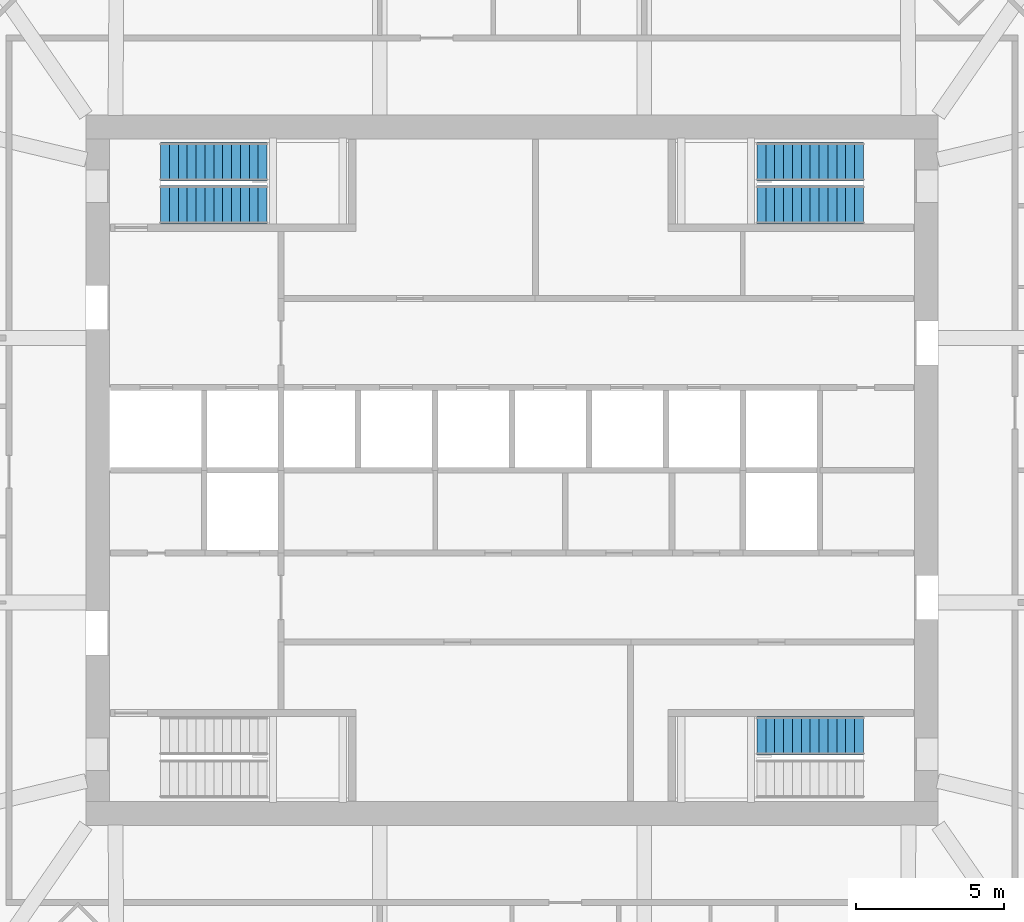
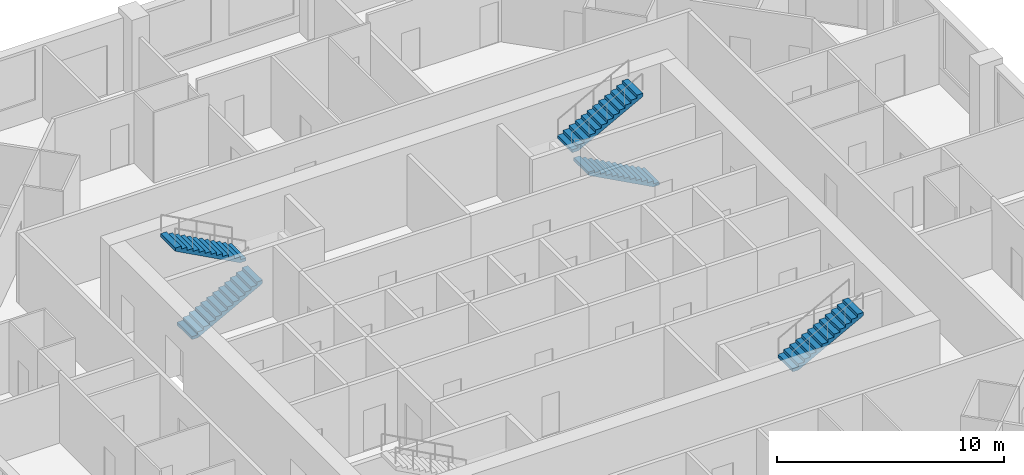
# One storey, part 11 of 13: 5 stair flights, 3 elements without a shape of their own.
"""IFC4 building model written with IfcOpenShell, lengths in metres."""

import ifcopenshell
import ifcopenshell.guid

model = None  # the IFC model being written
_history = None  # IfcOwnerHistory: only IFC2X3 demands one
_inside = {}  # id of a spatial element -> (the spatial element, [elements in it])
_under = {}  # id of a project, library or spatial element -> (it, [spatial elements below it])
_declared = {}  # id of a project -> (the project, [libraries it declares])
_typed = {}  # id of a type object -> (the type object, [elements of that type])
_made_of = {}  # id of a material, layer set ... -> (it, [elements and type objects made of it])


def new_model(schema):
    """Start an empty IFC model of exactly this schema.

    Asked for "IFC4X3", IfcOpenShell would pick the latest addendum, in which some entities
    have other attributes; the version numbers below select the first issue.
    IFC2X3 requires an IfcOwnerHistory on every rooted entity: one is made here for all.
    """
    global model, _history
    if schema == "IFC4X3":
        model = ifcopenshell.file(schema_version=(4, 3, 0, 0))
    else:
        model = ifcopenshell.file(schema=schema)
    _inside.clear()
    _under.clear()
    _declared.clear()
    _typed.clear()
    _made_of.clear()
    _history = None
    if model.schema == "IFC2X3":
        org = make("IfcOrganization", Name="unknown")
        user = make(
            "IfcPersonAndOrganization",
            ThePerson=make("IfcPerson", FamilyName="unknown"),
            TheOrganization=org,
        )
        app = make(
            "IfcApplication",
            ApplicationDeveloper=org,
            Version="unknown",
            ApplicationFullName="unknown",
            ApplicationIdentifier="unknown",
        )
        _history = make(
            "IfcOwnerHistory",
            OwningUser=user,
            OwningApplication=app,
            ChangeAction="ADDED",
            CreationDate=0,
        )
    return model


def make(cls, **values):
    """One entity of the class cls with the attributes given. An attribute that is None is left unset."""
    return model.create_entity(
        cls, **{name: value for name, value in values.items() if value is not None}
    )


def rooted(cls, **values):
    """An entity with a GlobalId (a new one), such as an element, a storey or a relation."""
    return make(cls, GlobalId=ifcopenshell.guid.new(), OwnerHistory=_history, **values)


def si_unit(unit_type, name, prefix=None):
    """IfcSIUnit, for example si_unit("LENGTHUNIT", "METRE", prefix="MILLI")."""
    return make("IfcSIUnit", UnitType=unit_type, Prefix=prefix, Name=name)


def assignment(units):
    """IfcUnitAssignment: the units of a project."""
    return None if units is None else make("IfcUnitAssignment", Units=units)


def point(xyz):
    """IfcCartesianPoint."""
    return None if xyz is None else make("IfcCartesianPoint", Coordinates=xyz)


def direction(xyz):
    """IfcDirection."""
    return None if xyz is None else make("IfcDirection", DirectionRatios=xyz)


def frame(location, z_axis=None, x_axis=None):
    """IfcAxis2Placement3D, a coordinate frame: its origin and axes. An axis left out is left unset."""
    return make(
        "IfcAxis2Placement3D",
        Location=point(location),
        Axis=direction(z_axis),
        RefDirection=direction(x_axis),
    )


def origin():
    """The frame at (0, 0, 0) with its axes left unset."""
    return frame((0.0, 0.0, 0.0))


def place(relative_to, where):
    """IfcLocalPlacement: puts the frame where relative to a parent placement (None: the world)."""
    return make(
        "IfcLocalPlacement", PlacementRelTo=relative_to, RelativePlacement=where
    )


def context(
    kind, dimensions, precision=None, world=None, true_north=None, identifier=None
):
    """IfcGeometricRepresentationContext, for example the 3D "Model" context."""
    return make(
        "IfcGeometricRepresentationContext",
        ContextIdentifier=identifier,
        ContextType=kind,
        CoordinateSpaceDimension=dimensions,
        Precision=precision,
        WorldCoordinateSystem=world,
        TrueNorth=true_north,
    )


def subcontext(parent, identifier, kind, view, scale=None):
    """IfcGeometricRepresentationSubContext, for example "Body" below "Model"."""
    return make(
        "IfcGeometricRepresentationSubContext",
        ContextIdentifier=identifier,
        ContextType=kind,
        ParentContext=parent,
        TargetScale=scale,
        TargetView=view,
    )


def project(units=None, contexts=None):
    """IfcProject with its units and contexts."""
    return rooted(
        "IfcProject",
        Name="project",
        RepresentationContexts=contexts,
        UnitsInContext=assignment(units),
    )


def spatial(cls, under=None, at=None, **own):
    """A site, building, storey or space (cls), placed at a placement, below another one or the project."""
    s = rooted(cls, ObjectPlacement=at, **own)
    if under is not None:
        _under.setdefault(under.id(), (under, []))[1].append(s)
    return s


def polyline(points):
    """IfcPolyline through the points."""
    return make("IfcPolyline", Points=[point(p) for p in points])


def outline(outer, holes=None, kind="AREA"):
    """IfcArbitraryClosedProfileDef: a profile drawn as a closed curve; with holes, ...WithVoids."""
    if holes is None:
        return make("IfcArbitraryClosedProfileDef", ProfileType=kind, OuterCurve=outer)
    return make(
        "IfcArbitraryProfileDefWithVoids",
        ProfileType=kind,
        OuterCurve=outer,
        InnerCurves=holes,
    )


def extrude(swept, where, along, depth):
    """IfcExtrudedAreaSolid: the profile swept, set in the frame where, extruded along a direction by depth."""
    return make(
        "IfcExtrudedAreaSolid",
        SweptArea=swept,
        Position=where,
        ExtrudedDirection=direction(along),
        Depth=depth,
    )


def shape(context_of_items, identifier, shape_type, items):
    """IfcShapeRepresentation: the items that make up one representation, for example the "Body"."""
    return make(
        "IfcShapeRepresentation",
        ContextOfItems=context_of_items,
        RepresentationIdentifier=identifier,
        RepresentationType=shape_type,
        Items=items,
    )


def material(Name=None, Category=None):
    """IfcMaterial."""
    return make("IfcMaterial", Name=Name, Category=Category)


def made_of(thing, what):
    """Note that an element or type object is made of a material, layer set ...; save() writes the relation."""
    if what is not None:
        _made_of.setdefault(what.id(), (what, []))[1].append(thing)
    return thing


def type_object(cls, material=None, **own):
    """A type object (cls), such as IfcWallType, which elements share."""
    return made_of(rooted(cls, **own), material)


def element(
    cls,
    number,
    at=None,
    inside=None,
    cuts=None,
    type_object=None,
    material=None,
    context=None,
    identifier="Body",
    shape_type=None,
    held_by="IfcProductDefinitionShape",
    body=None,
    shapes=None,
    **own,
):
    """One element of the class cls, such as IfcWall. Its Tag is "e" and its number.

    at: its placement. inside: the storey or other place that contains it. cuts: it is an
    opening in that element (IfcRelVoidsElement). A single representation is given by context,
    identifier, shape_type and body (its items); several are given by shapes. held_by: the class
    of the entity that holds the representations. save() writes the other relations.
    """
    e = rooted(cls, Tag="e%d" % number, ObjectPlacement=at, **own)
    if body is not None:
        shapes = [shape(context, identifier, shape_type, body)]
    if shapes is not None:
        e.Representation = make(held_by, Representations=shapes)
    if inside is not None:
        _inside.setdefault(inside.id(), (inside, []))[1].append(e)
    if cuts is not None:
        rooted(
            "IfcRelVoidsElement", RelatingBuildingElement=cuts, RelatedOpeningElement=e
        )
    if type_object is not None:
        _typed.setdefault(type_object.id(), (type_object, []))[1].append(e)
    return made_of(e, material)


def aggregate(whole, parts):
    """IfcRelAggregates: a whole, such as a stair, and the parts it consists of."""
    return rooted("IfcRelAggregates", RelatingObject=whole, RelatedObjects=parts)


def save(model, path):
    """Write the relations noted so far, then the file.

    IfcRelAggregates (storeys below a building ...), IfcRelContainedInSpatialStructure (elements
    in a storey), IfcRelDefinesByType, IfcRelAssociatesMaterial and IfcRelDeclares: one each for
    every whole, place, type object, material and project.
    """
    for whole, parts in _under.values():
        aggregate(whole, parts)
    for where, things in _inside.values():
        rooted(
            "IfcRelContainedInSpatialStructure",
            RelatedElements=things,
            RelatingStructure=where,
        )
    for kind, things in _typed.values():
        rooted("IfcRelDefinesByType", RelatedObjects=things, RelatingType=kind)
    for what, things in _made_of.values():
        rooted("IfcRelAssociatesMaterial", RelatedObjects=things, RelatingMaterial=what)
    for by, libraries in _declared.values():
        rooted("IfcRelDeclares", RelatingContext=by, RelatedDefinitions=libraries)
    model.write(path)


model = new_model("IFC4")

# Units and contexts
model_context = context("Model", 3, precision=1e-05, world=origin(), true_north=direction((0.0, 1.0)))
body_context = subcontext(model_context, "Body", "Model", "MODEL_VIEW")
ifc_project = project(units=[si_unit("LENGTHUNIT", "METRE"), si_unit("AREAUNIT", "SQUARE_METRE"), si_unit("VOLUMEUNIT", "CUBIC_METRE"), si_unit("PLANEANGLEUNIT", "RADIAN"), si_unit("MASSUNIT", "GRAM", prefix="KILO")], contexts=[model_context])

# Site, building, storey
site_placement = place(None, origin())
site = spatial("IfcSite", under=ifc_project, at=site_placement, CompositionType="ELEMENT")
building_placement = place(site_placement, origin())
building = spatial("IfcBuilding", under=site, at=building_placement, Name="Msitu Wima Residences", CompositionType="ELEMENT")
storey_placement = place(building_placement, frame((0.0, 0.0, 152.699951171875)))
storey = spatial("IfcBuildingStorey", under=building, at=storey_placement, Name="L35", CompositionType="ELEMENT", Elevation=152.699951171875)

# Stair, stair flights
ifc_material = material(Name="Concrete C40/50", Category="concrete")
stair_type = type_object("IfcStairType", Name="Exit stair ES1615-130", PredefinedType="HALF_TURN_STAIR", material=ifc_material)
stair_1_placement = place(storey_placement, origin())
stair_1 = element("IfcStair", 1, at=stair_1_placement, inside=storey, type_object=stair_type, Name="Exit stair 1", PredefinedType="HALF_TURN_STAIR")
stair_flight_type = type_object("IfcStairFlightType", Name="Exit stair flight ES1615-130", PredefinedType="STRAIGHT", material=ifc_material)
stair_flight_1_placement = place(storey_placement, frame((-11.875, 8.97509765625, 0.0), z_axis=(0.0, 0.0, 1.0), x_axis=(1.0, 0.0, 0.0)))
stair_flight_1 = element("IfcStairFlight", 2, at=stair_flight_1_placement, type_object=stair_flight_type, Name="S1 flight 1", NumberOfRisers=13, NumberOfTreads=12, PredefinedType="STRAIGHT", RiserHeight=0.161538462, TreadLength=0.3, context=body_context, shape_type="SweptSolid", body=[
    extrude(outline(polyline([(0.0, 0.0), (0.0, 0.16162109375), (0.300048828125, 0.16162109375), (0.300048828125, 0.322998046875), (0.60009765625, 0.322998046875), (0.60009765625, 0.484619140625), (0.89990234375, 0.484619140625), (0.89990234375, 0.646240234375), (1.199951171875, 0.646240234375), (1.199951171875, 0.8076171875), (1.5, 0.8076171875), (1.5, 0.96923828125), (1.800048828125, 0.96923828125), (1.800048828125, 1.130859375), (2.10009765625, 1.130859375), (2.10009765625, 1.292236328125), (2.39990234375, 1.292236328125), (2.39990234375, 1.453857421875), (2.699951171875, 1.453857421875), (2.699951171875, 1.615478515625), (3.0, 1.615478515625), (3.0, 1.77685546875), (3.300048828125, 1.77685546875), (3.300048828125, 1.9384765625), (3.60009765625, 1.9384765625), (3.60009765625, 2.10009765625), (3.60009765625, 1.768310546875), (0.316162109375, 0.0), (0.0, 0.0)])), frame((0.0, 0.64990234375, 0.0), z_axis=(0.0, -1.0, 0.0), x_axis=(1.0, 0.0, 0.0)), (0.0, 0.0, 1.0), 1.300048828125),
])
stair_flight_2_placement = place(storey_placement, frame((-8.27490234375, 10.425048828125, 2.10009765625), z_axis=(0.0, 0.0, 1.0), x_axis=(-1.0, 0.0, 0.0)))
stair_flight_2 = element("IfcStairFlight", 3, at=stair_flight_2_placement, type_object=stair_flight_type, Name="S1 flight 2", NumberOfRisers=13, NumberOfTreads=12, PredefinedType="STRAIGHT", RiserHeight=0.161538462, TreadLength=0.3, context=body_context, shape_type="SweptSolid", body=[
    extrude(outline(polyline([(0.0, 0.0), (0.0, 0.16162109375), (0.300048828125, 0.16162109375), (0.300048828125, 0.322998046875), (0.60009765625, 0.322998046875), (0.60009765625, 0.484619140625), (0.89990234375, 0.484619140625), (0.89990234375, 0.646240234375), (1.199951171875, 0.646240234375), (1.199951171875, 0.8076171875), (1.5, 0.8076171875), (1.5, 0.96923828125), (1.800048828125, 0.96923828125), (1.800048828125, 1.130859375), (2.10009765625, 1.130859375), (2.10009765625, 1.292236328125), (2.39990234375, 1.292236328125), (2.39990234375, 1.453857421875), (2.699951171875, 1.453857421875), (2.699951171875, 1.615478515625), (3.0, 1.615478515625), (3.0, 1.77685546875), (3.300048828125, 1.77685546875), (3.300048828125, 1.9384765625), (3.60009765625, 1.9384765625), (3.60009765625, 2.10009765625), (3.60009765625, 1.768310546875), (0.316162109375, 0.0), (0.0, 0.0)])), frame((0.0, 0.64990234375, 0.0), z_axis=(0.0, -1.0, 0.0), x_axis=(1.0, 0.0, 0.0)), (0.0, 0.0, 1.0), 1.300048828125),
])
aggregate(stair_1, [stair_flight_1, stair_flight_2])

stair_2_placement = place(storey_placement, origin())
stair_2 = element("IfcStair", 4, at=stair_2_placement, inside=storey, type_object=stair_type, Name="Exit stair 3", PredefinedType="HALF_TURN_STAIR")
stair_flight_3_placement = place(storey_placement, frame((11.875, 8.97509765625, 0.0), z_axis=(0.0, 0.0, 1.0), x_axis=(-1.0, 0.0, 0.0)))
stair_flight_3 = element("IfcStairFlight", 5, at=stair_flight_3_placement, type_object=stair_flight_type, Name="S3 flight 1", NumberOfRisers=13, NumberOfTreads=12, PredefinedType="STRAIGHT", RiserHeight=0.161538462, TreadLength=0.3, context=body_context, shape_type="SweptSolid", body=[
    extrude(outline(polyline([(0.0, 0.0), (0.0, 0.16162109375), (0.300048828125, 0.16162109375), (0.300048828125, 0.322998046875), (0.60009765625, 0.322998046875), (0.60009765625, 0.484619140625), (0.89990234375, 0.484619140625), (0.89990234375, 0.646240234375), (1.199951171875, 0.646240234375), (1.199951171875, 0.8076171875), (1.5, 0.8076171875), (1.5, 0.96923828125), (1.800048828125, 0.96923828125), (1.800048828125, 1.130859375), (2.10009765625, 1.130859375), (2.10009765625, 1.292236328125), (2.39990234375, 1.292236328125), (2.39990234375, 1.453857421875), (2.699951171875, 1.453857421875), (2.699951171875, 1.615478515625), (3.0, 1.615478515625), (3.0, 1.77685546875), (3.300048828125, 1.77685546875), (3.300048828125, 1.9384765625), (3.60009765625, 1.9384765625), (3.60009765625, 2.10009765625), (3.60009765625, 1.768310546875), (0.316162109375, 0.0), (0.0, 0.0)])), frame((0.0, 0.64990234375, 0.0), z_axis=(0.0, -1.0, 0.0), x_axis=(1.0, 0.0, 0.0)), (0.0, 0.0, 1.0), 1.300048828125),
])
stair_flight_4_placement = place(storey_placement, frame((8.27490234375, 10.425048828125, 2.10009765625), z_axis=(0.0, 0.0, 1.0), x_axis=(1.0, 0.0, 0.0)))
stair_flight_4 = element("IfcStairFlight", 6, at=stair_flight_4_placement, type_object=stair_flight_type, Name="S3 flight 2", NumberOfRisers=13, NumberOfTreads=12, PredefinedType="STRAIGHT", RiserHeight=0.161538462, TreadLength=0.3, context=body_context, shape_type="SweptSolid", body=[
    extrude(outline(polyline([(0.0, 0.0), (0.0, 0.16162109375), (0.300048828125, 0.16162109375), (0.300048828125, 0.322998046875), (0.60009765625, 0.322998046875), (0.60009765625, 0.484619140625), (0.89990234375, 0.484619140625), (0.89990234375, 0.646240234375), (1.199951171875, 0.646240234375), (1.199951171875, 0.8076171875), (1.5, 0.8076171875), (1.5, 0.96923828125), (1.800048828125, 0.96923828125), (1.800048828125, 1.130859375), (2.10009765625, 1.130859375), (2.10009765625, 1.292236328125), (2.39990234375, 1.292236328125), (2.39990234375, 1.453857421875), (2.699951171875, 1.453857421875), (2.699951171875, 1.615478515625), (3.0, 1.615478515625), (3.0, 1.77685546875), (3.300048828125, 1.77685546875), (3.300048828125, 1.9384765625), (3.60009765625, 1.9384765625), (3.60009765625, 2.10009765625), (3.60009765625, 1.768310546875), (0.316162109375, 0.0), (0.0, 0.0)])), frame((0.0, 0.64990234375, 0.0), z_axis=(0.0, -1.0, 0.0), x_axis=(1.0, 0.0, 0.0)), (0.0, 0.0, 1.0), 1.300048828125),
])
aggregate(stair_2, [stair_flight_3, stair_flight_4])

# Stair, stair flight
stair_3_placement = place(storey_placement, origin())
stair_3 = element("IfcStair", 7, at=stair_3_placement, inside=storey, type_object=stair_type, Name="Exit stair 4", PredefinedType="HALF_TURN_STAIR")
stair_flight_5_placement = place(storey_placement, frame((8.27490234375, -8.97509765625, 2.10009765625), z_axis=(0.0, 0.0, 1.0), x_axis=(1.0, 0.0, 0.0)))
stair_flight_5 = element("IfcStairFlight", 8, at=stair_flight_5_placement, type_object=stair_flight_type, Name="S4 flight 2", NumberOfRisers=13, NumberOfTreads=12, PredefinedType="STRAIGHT", RiserHeight=0.161538462, TreadLength=0.3, context=body_context, shape_type="SweptSolid", body=[
    extrude(outline(polyline([(0.0, 0.0), (0.0, 0.16162109375), (0.300048828125, 0.16162109375), (0.300048828125, 0.322998046875), (0.60009765625, 0.322998046875), (0.60009765625, 0.484619140625), (0.89990234375, 0.484619140625), (0.89990234375, 0.646240234375), (1.199951171875, 0.646240234375), (1.199951171875, 0.8076171875), (1.5, 0.8076171875), (1.5, 0.96923828125), (1.800048828125, 0.96923828125), (1.800048828125, 1.130859375), (2.10009765625, 1.130859375), (2.10009765625, 1.292236328125), (2.39990234375, 1.292236328125), (2.39990234375, 1.453857421875), (2.699951171875, 1.453857421875), (2.699951171875, 1.615478515625), (3.0, 1.615478515625), (3.0, 1.77685546875), (3.300048828125, 1.77685546875), (3.300048828125, 1.9384765625), (3.60009765625, 1.9384765625), (3.60009765625, 2.10009765625), (3.60009765625, 1.768310546875), (0.316162109375, 0.0), (0.0, 0.0)])), frame((0.0, 0.64990234375, 0.0), z_axis=(0.0, -1.0, 0.0), x_axis=(1.0, 0.0, 0.0)), (0.0, 0.0, 1.0), 1.300048828125),
])
aggregate(stair_3, [stair_flight_5])

save(model, "model.ifc")
